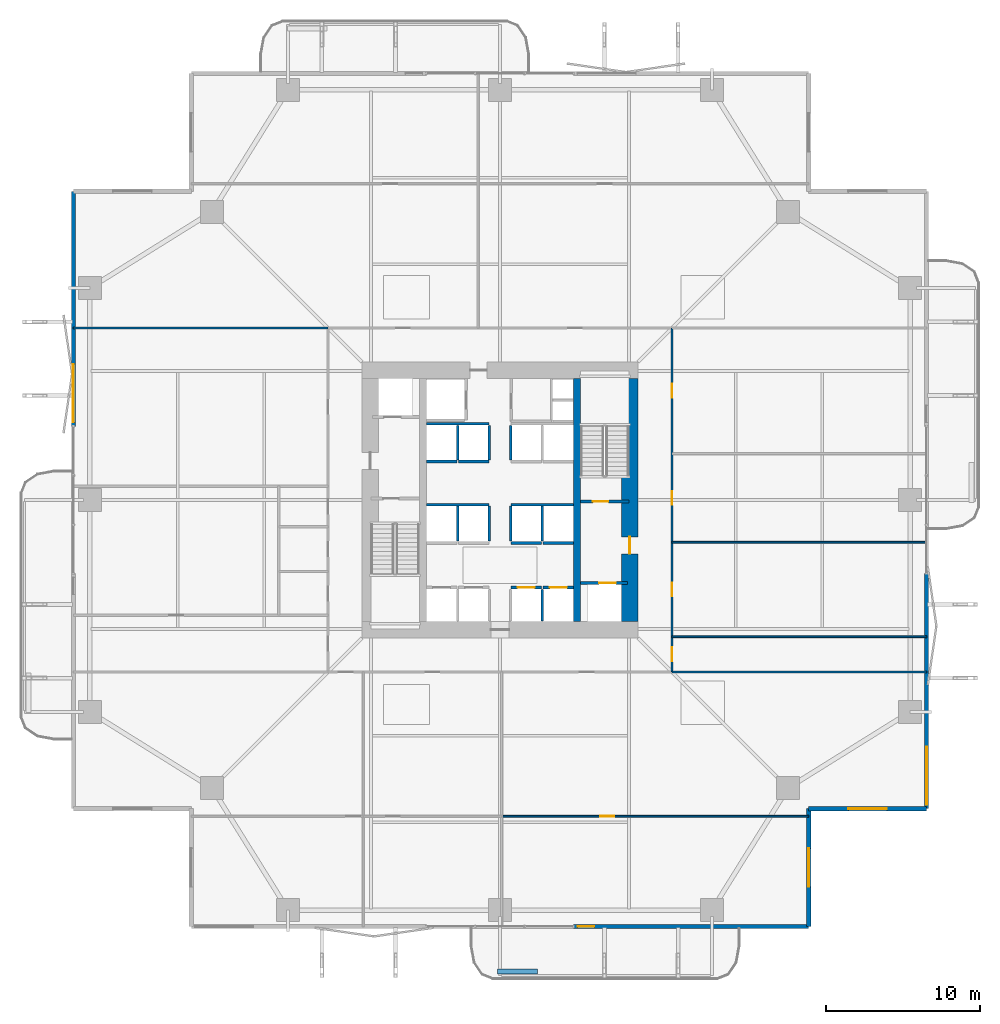
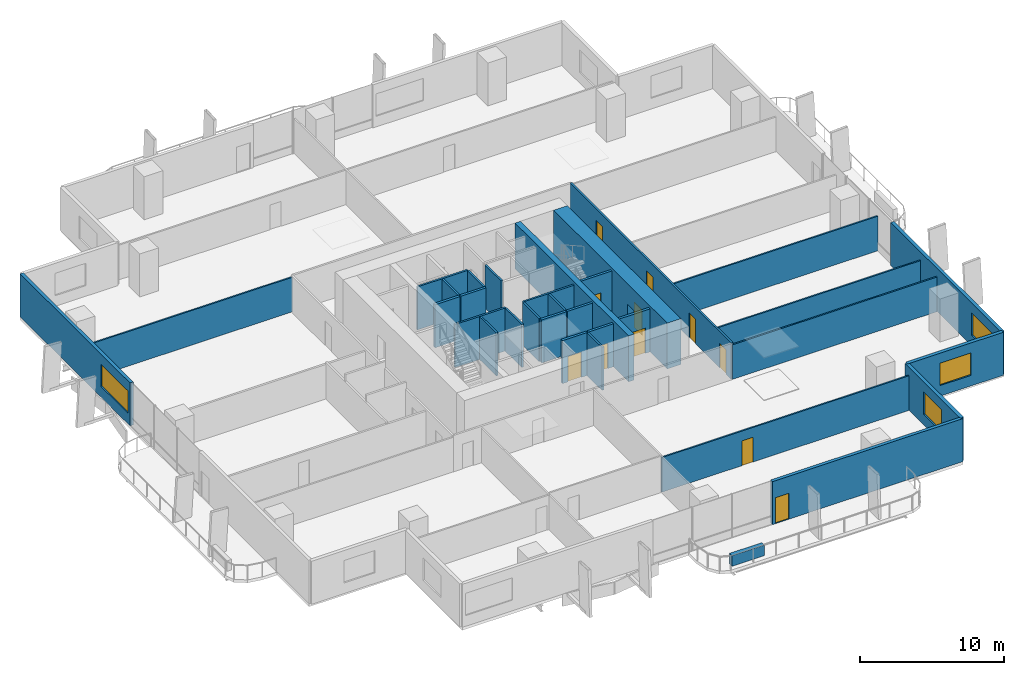
# One storey, part 18 of 24: 33 walls, 11 doors, 4 windows, 15 openings.
"""IFC4 building model written with IfcOpenShell, lengths in metres."""

import ifcopenshell
import ifcopenshell.guid

model = None  # the IFC model being written
_history = None  # IfcOwnerHistory: only IFC2X3 demands one
_inside = {}  # id of a spatial element -> (the spatial element, [elements in it])
_under = {}  # id of a project, library or spatial element -> (it, [spatial elements below it])
_declared = {}  # id of a project -> (the project, [libraries it declares])
_typed = {}  # id of a type object -> (the type object, [elements of that type])
_made_of = {}  # id of a material, layer set ... -> (it, [elements and type objects made of it])


def new_model(schema):
    """Start an empty IFC model of exactly this schema.

    Asked for "IFC4X3", IfcOpenShell would pick the latest addendum, in which some entities
    have other attributes; the version numbers below select the first issue.
    IFC2X3 requires an IfcOwnerHistory on every rooted entity: one is made here for all.
    """
    global model, _history
    if schema == "IFC4X3":
        model = ifcopenshell.file(schema_version=(4, 3, 0, 0))
    else:
        model = ifcopenshell.file(schema=schema)
    _inside.clear()
    _under.clear()
    _declared.clear()
    _typed.clear()
    _made_of.clear()
    _history = None
    if model.schema == "IFC2X3":
        org = make("IfcOrganization", Name="unknown")
        user = make(
            "IfcPersonAndOrganization",
            ThePerson=make("IfcPerson", FamilyName="unknown"),
            TheOrganization=org,
        )
        app = make(
            "IfcApplication",
            ApplicationDeveloper=org,
            Version="unknown",
            ApplicationFullName="unknown",
            ApplicationIdentifier="unknown",
        )
        _history = make(
            "IfcOwnerHistory",
            OwningUser=user,
            OwningApplication=app,
            ChangeAction="ADDED",
            CreationDate=0,
        )
    return model


def make(cls, **values):
    """One entity of the class cls with the attributes given. An attribute that is None is left unset."""
    return model.create_entity(
        cls, **{name: value for name, value in values.items() if value is not None}
    )


def rooted(cls, **values):
    """An entity with a GlobalId (a new one), such as an element, a storey or a relation."""
    return make(cls, GlobalId=ifcopenshell.guid.new(), OwnerHistory=_history, **values)


def si_unit(unit_type, name, prefix=None):
    """IfcSIUnit, for example si_unit("LENGTHUNIT", "METRE", prefix="MILLI")."""
    return make("IfcSIUnit", UnitType=unit_type, Prefix=prefix, Name=name)


def assignment(units):
    """IfcUnitAssignment: the units of a project."""
    return None if units is None else make("IfcUnitAssignment", Units=units)


def point(xyz):
    """IfcCartesianPoint."""
    return None if xyz is None else make("IfcCartesianPoint", Coordinates=xyz)


def direction(xyz):
    """IfcDirection."""
    return None if xyz is None else make("IfcDirection", DirectionRatios=xyz)


def frame(location, z_axis=None, x_axis=None):
    """IfcAxis2Placement3D, a coordinate frame: its origin and axes. An axis left out is left unset."""
    return make(
        "IfcAxis2Placement3D",
        Location=point(location),
        Axis=direction(z_axis),
        RefDirection=direction(x_axis),
    )


def frame_2d(location, x_axis=None):
    """IfcAxis2Placement2D, a coordinate frame in the plane: its origin and x axis."""
    return make(
        "IfcAxis2Placement2D", Location=point(location), RefDirection=direction(x_axis)
    )


def origin():
    """The frame at (0, 0, 0) with its axes left unset."""
    return frame((0.0, 0.0, 0.0))


def place(relative_to, where):
    """IfcLocalPlacement: puts the frame where relative to a parent placement (None: the world)."""
    return make(
        "IfcLocalPlacement", PlacementRelTo=relative_to, RelativePlacement=where
    )


def context(
    kind, dimensions, precision=None, world=None, true_north=None, identifier=None
):
    """IfcGeometricRepresentationContext, for example the 3D "Model" context."""
    return make(
        "IfcGeometricRepresentationContext",
        ContextIdentifier=identifier,
        ContextType=kind,
        CoordinateSpaceDimension=dimensions,
        Precision=precision,
        WorldCoordinateSystem=world,
        TrueNorth=true_north,
    )


def subcontext(parent, identifier, kind, view, scale=None):
    """IfcGeometricRepresentationSubContext, for example "Body" below "Model"."""
    return make(
        "IfcGeometricRepresentationSubContext",
        ContextIdentifier=identifier,
        ContextType=kind,
        ParentContext=parent,
        TargetScale=scale,
        TargetView=view,
    )


def project(units=None, contexts=None):
    """IfcProject with its units and contexts."""
    return rooted(
        "IfcProject",
        Name="project",
        RepresentationContexts=contexts,
        UnitsInContext=assignment(units),
    )


def spatial(cls, under=None, at=None, **own):
    """A site, building, storey or space (cls), placed at a placement, below another one or the project."""
    s = rooted(cls, ObjectPlacement=at, **own)
    if under is not None:
        _under.setdefault(under.id(), (under, []))[1].append(s)
    return s


def profile(cls, at=None, kind="AREA", **sizes):
    """A parametric profile (cls). Its sizes go by their IFC names, for example OverallWidth=200.0."""
    return make(cls, ProfileType=kind, Position=at, **sizes)


def rectangle(**sizes):
    """IfcRectangleProfileDef."""
    return profile("IfcRectangleProfileDef", **sizes)


def extrude(swept, where, along, depth):
    """IfcExtrudedAreaSolid: the profile swept, set in the frame where, extruded along a direction by depth."""
    return make(
        "IfcExtrudedAreaSolid",
        SweptArea=swept,
        Position=where,
        ExtrudedDirection=direction(along),
        Depth=depth,
    )


def shape(context_of_items, identifier, shape_type, items):
    """IfcShapeRepresentation: the items that make up one representation, for example the "Body"."""
    return make(
        "IfcShapeRepresentation",
        ContextOfItems=context_of_items,
        RepresentationIdentifier=identifier,
        RepresentationType=shape_type,
        Items=items,
    )


def material(Name=None, Category=None):
    """IfcMaterial."""
    return make("IfcMaterial", Name=Name, Category=Category)


def layer(
    of_material, thickness, ventilated=None, Name=None, Category=None, Priority=None
):
    """IfcMaterialLayer: one layer of a wall or slab, of a material (None: an air gap)."""
    return make(
        "IfcMaterialLayer",
        Material=of_material,
        LayerThickness=thickness,
        IsVentilated=ventilated,
        Name=Name,
        Category=Category,
        Priority=Priority,
    )


def layer_set(layers, Name=None):
    """IfcMaterialLayerSet."""
    return make("IfcMaterialLayerSet", MaterialLayers=layers, LayerSetName=Name)


def made_of(thing, what):
    """Note that an element or type object is made of a material, layer set ...; save() writes the relation."""
    if what is not None:
        _made_of.setdefault(what.id(), (what, []))[1].append(thing)
    return thing


def type_object(cls, material=None, **own):
    """A type object (cls), such as IfcWallType, which elements share."""
    return made_of(rooted(cls, **own), material)


def element(
    cls,
    number,
    at=None,
    inside=None,
    cuts=None,
    type_object=None,
    material=None,
    context=None,
    identifier="Body",
    shape_type=None,
    held_by="IfcProductDefinitionShape",
    body=None,
    shapes=None,
    **own,
):
    """One element of the class cls, such as IfcWall. Its Tag is "e" and its number.

    at: its placement. inside: the storey or other place that contains it. cuts: it is an
    opening in that element (IfcRelVoidsElement). A single representation is given by context,
    identifier, shape_type and body (its items); several are given by shapes. held_by: the class
    of the entity that holds the representations. save() writes the other relations.
    """
    e = rooted(cls, Tag="e%d" % number, ObjectPlacement=at, **own)
    if body is not None:
        shapes = [shape(context, identifier, shape_type, body)]
    if shapes is not None:
        e.Representation = make(held_by, Representations=shapes)
    if inside is not None:
        _inside.setdefault(inside.id(), (inside, []))[1].append(e)
    if cuts is not None:
        rooted(
            "IfcRelVoidsElement", RelatingBuildingElement=cuts, RelatedOpeningElement=e
        )
    if type_object is not None:
        _typed.setdefault(type_object.id(), (type_object, []))[1].append(e)
    return made_of(e, material)


def fill(opening, filler):
    """IfcRelFillsElement: the door or window that sits in an opening."""
    return rooted(
        "IfcRelFillsElement",
        RelatingOpeningElement=opening,
        RelatedBuildingElement=filler,
    )


def aggregate(whole, parts):
    """IfcRelAggregates: a whole, such as a stair, and the parts it consists of."""
    return rooted("IfcRelAggregates", RelatingObject=whole, RelatedObjects=parts)


def save(model, path):
    """Write the relations noted so far, then the file.

    IfcRelAggregates (storeys below a building ...), IfcRelContainedInSpatialStructure (elements
    in a storey), IfcRelDefinesByType, IfcRelAssociatesMaterial and IfcRelDeclares: one each for
    every whole, place, type object, material and project.
    """
    for whole, parts in _under.values():
        aggregate(whole, parts)
    for where, things in _inside.values():
        rooted(
            "IfcRelContainedInSpatialStructure",
            RelatedElements=things,
            RelatingStructure=where,
        )
    for kind, things in _typed.values():
        rooted("IfcRelDefinesByType", RelatedObjects=things, RelatingType=kind)
    for what, things in _made_of.values():
        rooted("IfcRelAssociatesMaterial", RelatedObjects=things, RelatingMaterial=what)
    for by, libraries in _declared.values():
        rooted("IfcRelDeclares", RelatingContext=by, RelatedDefinitions=libraries)
    model.write(path)


model = new_model("IFC4")

# Units and contexts
model_context = context("Model", 3, precision=1e-05, world=origin(), true_north=direction((0.0, 1.0)))
body_context = subcontext(model_context, "Body", "Model", "MODEL_VIEW")
ifc_project = project(units=[si_unit("LENGTHUNIT", "METRE"), si_unit("AREAUNIT", "SQUARE_METRE"), si_unit("VOLUMEUNIT", "CUBIC_METRE"), si_unit("PLANEANGLEUNIT", "RADIAN"), si_unit("MASSUNIT", "GRAM", prefix="KILO")], contexts=[model_context])

# Site, building, storey
site_placement = place(None, origin())
site = spatial("IfcSite", under=ifc_project, at=site_placement, CompositionType="ELEMENT")
building_placement = place(site_placement, origin())
building = spatial("IfcBuilding", under=site, at=building_placement, Name="Belovzor Exchange Tower", CompositionType="ELEMENT")
storey_placement = place(building_placement, frame((0.0, 0.0, 49.5)))
storey = spatial("IfcBuildingStorey", under=building, at=storey_placement, Name="L11", CompositionType="ELEMENT", Elevation=49.5)

# Wall, opening, door
ifc_material_1 = material(Name="Acoustic Plasterboard on Galvanised Studs", Category="gypsum")
ifc_layer_1 = layer(ifc_material_1, 0.1201171875)
ifc_layer_set_1 = layer_set([ifc_layer_1], Name="Acoustic Plasterboard on Galvanised Studs")
wall_type_1 = type_object("IfcWallType", Name="Acoustic Double-Stud Partition Wall 120", PredefinedType="PARTITIONING", material=ifc_layer_set_1)
wall_1_placement = place(storey_placement, frame((28.904052734375, 8.2119140625, 0.0), z_axis=(0.0, 0.0, 1.0), x_axis=(1.0, 0.0, 0.0)))
wall_1 = element("IfcWall", 1, at=wall_1_placement, inside=storey, type_object=wall_type_1, Name="W-P120 Partition Wall W-L11-SHDIV-2", PredefinedType="PARTITIONING", context=body_context, shape_type="SweptSolid", body=[
    extrude(rectangle(XDim=19.995849609375, YDim=0.1201171875, at=frame_2d((9.998046875, 0.0))), origin(), (0.0, 0.0, 1.0), 2.93505859375),
])
opening_1_placement = place(wall_1_placement, frame((6.431884765625, 0.0, 0.0)))
opening_1 = element("IfcOpeningElement", 2, at=opening_1_placement, cuts=wall_1, Name="Opening D-INT-090", PredefinedType="OPENING", context=body_context, shape_type="SweptSolid", body=[
    extrude(rectangle(XDim=0.89990234375, YDim=2.10009765625, at=frame_2d((0.449951171875, 1.050048828125))), frame((0.0, 0.070068359375, 0.0), z_axis=(0.0, -1.0, 0.0), x_axis=(1.0, 0.0, 0.0)), (0.0, 0.0, 1.0), 0.14013671875),
])
ifc_material_2 = material(Name="Veneered Hardwood Acoustic Leaf", Category="wood")
door_type_1 = type_object("IfcDoorType", Name="Trading Suite Acoustic Single Door 900x2100", OperationType="NOTDEFINED", PredefinedType="DOOR", material=ifc_material_2)
door_1_placement = place(opening_1_placement, origin())
door_1 = element("IfcDoor", 3, at=door_1_placement, inside=storey, type_object=door_type_1, Name="D-INT-090 Trading Suite Acoustic Single Door 900x2100", OperationType="SINGLE_SWING_LEFT", OverallHeight=2.10009765625, OverallWidth=0.89990234375, PredefinedType="DOOR", context=body_context, shape_type="SweptSolid", body=[
    extrude(rectangle(XDim=0.89990234375, YDim=2.10009765625, at=frame_2d((0.449951171875, 1.050048828125))), frame((0.0, 0.02490234375, 0.0), z_axis=(0.0, -1.0, 0.0), x_axis=(1.0, 0.0, 0.0)), (0.0, 0.0, 1.0), 0.050048828125),
])
fill(opening_1, door_1)

# Walls
for number, where, z_axis, x_axis, name in (
    (4, (40.0, 17.60009765625, 0.0), (0.0, 0.0, 1.0), (1.0, 0.0, 0.0), "W-P120 Partition Wall W-L11-END-SE"),
    (5, (1.030029296875, 40.0, 0.0), (0.0, 0.0, 1.0), (1.0, 0.0, 0.0), "W-P120 Partition Wall W-L11-END-NW"),
    (6, (40.0, 19.89990234375, 0.0), (0.0, 0.0, 1.0), (1.0, 0.0, 0.0), "W-P120 Partition Wall W-L11-EDIV-1"),
    (7, (40.0, 26.053955078125, 0.0), (0.0, 0.0, 1.0), (1.0, 0.0, 0.0), "W-P120 Partition Wall W-L11-EDIV-2"),
):
    element("IfcWall", number, at=place(storey_placement, frame(where, z_axis=z_axis, x_axis=x_axis)), inside=storey, type_object=wall_type_1, Name=name, PredefinedType="PARTITIONING", context=body_context, shape_type="SweptSolid", body=[
        extrude(rectangle(XDim=16.570068359375, YDim=0.1201171875, at=frame_2d((8.28515625, 0.0))), origin(), (0.0, 0.0, 1.0), 2.93505859375),
    ])

# Wall, openings, doors
ifc_material_3 = material(Name="Fire-Rated Gypsum Block and Mineral Wool", Category="gypsum")
ifc_layer_2 = layer(ifc_material_3, 0.14990234375)
ifc_layer_set_2 = layer_set([ifc_layer_2], Name="Fire-Rated Gypsum Block and Mineral Wool")
wall_type_2 = type_object("IfcWallType", Name="Fire-Rated Gypsum Block Corridor Wall 150", PredefinedType="PARTITIONING", material=ifc_layer_set_2)
wall_2_placement = place(storey_placement, frame((40.0, 17.60009765625, 0.0), z_axis=(0.0, 0.0, 1.0), x_axis=(0.0, 1.0, 0.0)))
wall_2 = element("IfcWall", 8, at=wall_2_placement, inside=storey, type_object=wall_type_2, Name="W-P150 Partition Wall W-L11-CE", PredefinedType="PARTITIONING", context=body_context, shape_type="SweptSolid", body=[
    extrude(rectangle(XDim=22.39990234375, YDim=0.14990234375, at=frame_2d((11.199951171875, 0.0))), origin(), (0.0, 0.0, 1.0), 3.0849609375),
])
opening_2_placement = place(wall_2_placement, frame((0.699951171875, 0.0, 0.0)))
opening_2 = element("IfcOpeningElement", 9, at=opening_2_placement, cuts=wall_2, Name="Opening D-INT-090", PredefinedType="OPENING", context=body_context, shape_type="SweptSolid", body=[
    extrude(rectangle(XDim=0.89990234375, YDim=2.10009765625, at=frame_2d((0.449951171875, 1.050048828125))), frame((0.0, 0.0849609375, 0.0), z_axis=(0.0, -1.0, 0.0), x_axis=(1.0, 0.0, 0.0)), (0.0, 0.0, 1.0), 0.169921875),
])
opening_3_placement = place(wall_2_placement, frame((4.927001953125, 0.0, 0.0)))
opening_3 = element("IfcOpeningElement", 10, at=opening_3_placement, cuts=wall_2, Name="Opening D-INT-090", PredefinedType="OPENING", context=body_context, shape_type="SweptSolid", body=[
    extrude(rectangle(XDim=0.89990234375, YDim=2.10009765625, at=frame_2d((0.449951171875, 1.050048828125))), frame((0.0, 0.0849609375, 0.0), z_axis=(0.0, -1.0, 0.0), x_axis=(1.0, 0.0, 0.0)), (0.0, 0.0, 1.0), 0.169921875),
])
opening_4_placement = place(wall_2_placement, frame((10.885986328125, 0.0, 0.0)))
opening_4 = element("IfcOpeningElement", 11, at=opening_4_placement, cuts=wall_2, Name="Opening D-INT-090", PredefinedType="OPENING", context=body_context, shape_type="SweptSolid", body=[
    extrude(rectangle(XDim=0.89990234375, YDim=2.10009765625, at=frame_2d((0.449951171875, 1.050048828125))), frame((0.0, 0.0849609375, 0.0), z_axis=(0.0, -1.0, 0.0), x_axis=(1.0, 0.0, 0.0)), (0.0, 0.0, 1.0), 0.169921875),
])
opening_5_placement = place(wall_2_placement, frame((17.85888671875, 0.0, 0.0)))
opening_5 = element("IfcOpeningElement", 12, at=opening_5_placement, cuts=wall_2, Name="Opening D-INT-090", PredefinedType="OPENING", context=body_context, shape_type="SweptSolid", body=[
    extrude(rectangle(XDim=0.89990234375, YDim=2.10009765625, at=frame_2d((0.449951171875, 1.050048828125))), frame((0.0, 0.0849609375, 0.0), z_axis=(0.0, -1.0, 0.0), x_axis=(1.0, 0.0, 0.0)), (0.0, 0.0, 1.0), 0.169921875),
])
door_2_placement = place(opening_2_placement, origin())
door_2 = element("IfcDoor", 13, at=door_2_placement, inside=storey, type_object=door_type_1, Name="D-INT-090 Trading Suite Acoustic Single Door 900x2100", OperationType="SINGLE_SWING_LEFT", OverallHeight=2.10009765625, OverallWidth=0.89990234375, PredefinedType="DOOR", context=body_context, shape_type="SweptSolid", body=[
    extrude(rectangle(XDim=0.89990234375, YDim=2.10009765625, at=frame_2d((0.449951171875, 1.050048828125))), frame((0.0, 0.02490234375, 0.0), z_axis=(0.0, -1.0, 0.0), x_axis=(1.0, 0.0, 0.0)), (0.0, 0.0, 1.0), 0.050048828125),
])
fill(opening_2, door_2)
door_3_placement = place(opening_3_placement, origin())
door_3 = element("IfcDoor", 14, at=door_3_placement, inside=storey, type_object=door_type_1, Name="D-INT-090 Trading Suite Acoustic Single Door 900x2100", OperationType="SINGLE_SWING_RIGHT", OverallHeight=2.10009765625, OverallWidth=0.89990234375, PredefinedType="DOOR", context=body_context, shape_type="SweptSolid", body=[
    extrude(rectangle(XDim=0.89990234375, YDim=2.10009765625, at=frame_2d((0.449951171875, 1.050048828125))), frame((0.0, 0.02490234375, 0.0), z_axis=(0.0, -1.0, 0.0), x_axis=(1.0, 0.0, 0.0)), (0.0, 0.0, 1.0), 0.050048828125),
])
fill(opening_3, door_3)
door_4_placement = place(opening_4_placement, origin())
door_4 = element("IfcDoor", 15, at=door_4_placement, inside=storey, type_object=door_type_1, Name="D-INT-090 Trading Suite Acoustic Single Door 900x2100", OperationType="SINGLE_SWING_LEFT", OverallHeight=2.10009765625, OverallWidth=0.89990234375, PredefinedType="DOOR", context=body_context, shape_type="SweptSolid", body=[
    extrude(rectangle(XDim=0.89990234375, YDim=2.10009765625, at=frame_2d((0.449951171875, 1.050048828125))), frame((0.0, 0.02490234375, 0.0), z_axis=(0.0, -1.0, 0.0), x_axis=(1.0, 0.0, 0.0)), (0.0, 0.0, 1.0), 0.050048828125),
])
fill(opening_4, door_4)
door_5_placement = place(opening_5_placement, origin())
door_5 = element("IfcDoor", 16, at=door_5_placement, inside=storey, type_object=door_type_1, Name="D-INT-090 Trading Suite Acoustic Single Door 900x2100", OperationType="SINGLE_SWING_RIGHT", OverallHeight=2.10009765625, OverallWidth=0.89990234375, PredefinedType="DOOR", context=body_context, shape_type="SweptSolid", body=[
    extrude(rectangle(XDim=0.89990234375, YDim=2.10009765625, at=frame_2d((0.449951171875, 1.050048828125))), frame((0.0, 0.02490234375, 0.0), z_axis=(0.0, -1.0, 0.0), x_axis=(1.0, 0.0, 0.0)), (0.0, 0.0, 1.0), 0.050048828125),
])
fill(opening_5, door_5)

# Wall, opening, window
ifc_material_4 = material(Name="Precast concrete C40/50", Category="concrete")
ifc_layer_3 = layer(ifc_material_4, 0.280029296875)
ifc_layer_set_3 = layer_set([ifc_layer_3], Name="Precast concrete C40/50")
wall_type_3 = type_object("IfcWallType", Name="Precast Concrete Notched Corner Frame Wall 280", PredefinedType="SOLIDWALL", material=ifc_layer_set_3)
wall_3_placement = place(storey_placement, frame((56.570068359375, 8.699951171875, 0.0), z_axis=(0.0, 0.0, 1.0), x_axis=(-1.0, 0.0, 0.0)))
wall_3 = element("IfcWall", 17, at=wall_3_placement, inside=storey, type_object=wall_type_3, Name="W-CRN280 Precast Concrete Notched Corner Frame Wall 280 L11", PredefinedType="SOLIDWALL", context=body_context, shape_type="SweptSolid", body=[
    extrude(rectangle(XDim=7.670166015625, YDim=0.280029296875, at=frame_2d((3.8349609375, 0.0))), origin(), (0.0, 0.0, 1.0), 3.64990234375),
])
opening_6_placement = place(wall_3_placement, frame((2.5849609375, 0.0, 0.89990234375)))
opening_6 = element("IfcOpeningElement", 18, at=opening_6_placement, cuts=wall_3, Name="Opening WN-CRN250", PredefinedType="OPENING", context=body_context, shape_type="SweptSolid", body=[
    extrude(rectangle(XDim=2.5, YDim=1.89990234375, at=frame_2d((1.25, 0.949951171875))), frame((0.0, 0.14990234375, 0.0), z_axis=(0.0, -1.0, 0.0), x_axis=(1.0, 0.0, 0.0)), (0.0, 0.0, 1.0), 0.300048828125),
])
ifc_material_5 = material(Name="Thermally Broken Aluminium and Triple Glazing", Category="aluminium")
window_type_1 = type_object("IfcWindowType", Name="Streamline Moderne Corner Wrap Ribbon Window 2500x1900", PartitioningType="SINGLE_PANEL", PredefinedType="WINDOW", material=ifc_material_5)
window_1_placement = place(opening_6_placement, origin())
window_1 = element("IfcWindow", 19, at=window_1_placement, inside=storey, type_object=window_type_1, Name="WN-CRN250 Streamline Moderne Corner Wrap Ribbon Window 2500x1900", OverallHeight=1.89990234375, OverallWidth=2.5, PartitioningType="SINGLE_PANEL", PredefinedType="WINDOW", context=body_context, shape_type="SweptSolid", body=[
    extrude(rectangle(XDim=2.5, YDim=1.89990234375, at=frame_2d((1.25, 0.949951171875))), frame((0.0, 0.030029296875, 0.0), z_axis=(0.0, -1.0, 0.0), x_axis=(1.0, 0.0, 0.0)), (0.0, 0.0, 1.0), 0.06005859375),
])
fill(opening_6, window_1)

wall_4_placement = place(storey_placement, frame((48.89990234375, 8.699951171875, 0.0), z_axis=(0.0, 0.0, 1.0), x_axis=(0.0, -1.0, 0.0)))
wall_4 = element("IfcWall", 20, at=wall_4_placement, inside=storey, type_object=wall_type_3, Name="W-CRN280 Precast Concrete Notched Corner Frame Wall 280 L11", PredefinedType="SOLIDWALL", context=body_context, shape_type="SweptSolid", body=[
    extrude(rectangle(XDim=7.669921875, YDim=0.280029296875, at=frame_2d((3.8349609375, 0.0))), origin(), (0.0, 0.0, 1.0), 3.64990234375),
])
opening_7_placement = place(wall_4_placement, frame((2.5849609375, 0.0, 0.89990234375)))
opening_7 = element("IfcOpeningElement", 21, at=opening_7_placement, cuts=wall_4, Name="Opening WN-CRN250", PredefinedType="OPENING", context=body_context, shape_type="SweptSolid", body=[
    extrude(rectangle(XDim=2.5, YDim=1.89990234375, at=frame_2d((1.25, 0.949951171875))), frame((0.0, 0.14990234375, 0.0), z_axis=(0.0, -1.0, 0.0), x_axis=(1.0, 0.0, 0.0)), (0.0, 0.0, 1.0), 0.300048828125),
])
window_2_placement = place(opening_7_placement, origin())
window_2 = element("IfcWindow", 22, at=window_2_placement, inside=storey, type_object=window_type_1, Name="WN-CRN250 Streamline Moderne Corner Wrap Ribbon Window 2500x1900", OverallHeight=1.89990234375, OverallWidth=2.5, PartitioningType="SINGLE_PANEL", PredefinedType="WINDOW", context=body_context, shape_type="SweptSolid", body=[
    extrude(rectangle(XDim=2.5, YDim=1.89990234375, at=frame_2d((1.25, 0.949951171875))), frame((0.0, 0.030029296875, 0.0), z_axis=(0.0, -1.0, 0.0), x_axis=(1.0, 0.0, 0.0)), (0.0, 0.0, 1.0), 0.06005859375),
])
fill(opening_7, window_2)

# Wall, opening, door
ifc_material_6 = material(Name="Precast concrete C40/50", Category="concrete")
ifc_layer_4 = layer(ifc_material_6, 0.260009765625)
ifc_layer_set_4 = layer_set([ifc_layer_4], Name="Precast concrete C40/50")
wall_type_4 = type_object("IfcWallType", Name="Precast Concrete Perimeter Loggia Frame Wall 260", PredefinedType="SOLIDWALL", material=ifc_layer_set_4)
wall_5_placement = place(storey_placement, frame((48.89990234375, 1.030029296875, 0.0), z_axis=(0.0, 0.0, 1.0), x_axis=(-1.0, 0.0, 0.0)))
wall_5 = element("IfcWall", 23, at=wall_5_placement, inside=storey, type_object=wall_type_4, Name="W-EXT260 Precast Concrete Perimeter Loggia Frame Wall 260 L11", PredefinedType="SOLIDWALL", context=body_context, shape_type="SweptSolid", body=[
    extrude(rectangle(XDim=15.2998046875, YDim=0.260009765625, at=frame_2d((7.64990234375, 0.0))), origin(), (0.0, 0.0, 1.0), 3.64990234375),
])
opening_8_placement = place(wall_5_placement, frame((13.949951171875, 0.0, 0.0)))
opening_8 = element("IfcOpeningElement", 24, at=opening_8_placement, cuts=wall_5, Name="Opening D-BAL110", PredefinedType="OPENING", context=body_context, shape_type="SweptSolid", body=[
    extrude(rectangle(XDim=1.10009765625, YDim=2.199951171875, at=frame_2d((0.550048828125, 1.10009765625))), frame((0.0, 0.139892578125, 0.0), z_axis=(0.0, -1.0, 0.0), x_axis=(1.0, 0.0, 0.0)), (0.0, 0.0, 1.0), 0.280029296875),
])
ifc_material_7 = material(Name="Thermally Broken Anodised Aluminium and Laminated Glass", Category="aluminium")
door_type_2 = type_object("IfcDoorType", Name="Planted Loggia Terrace Glazed Door 1100x2200", OperationType="SINGLE_SWING_LEFT", PredefinedType="DOOR", material=ifc_material_7)
door_6_placement = place(opening_8_placement, origin())
door_6 = element("IfcDoor", 25, at=door_6_placement, inside=storey, type_object=door_type_2, Name="D-BAL110 Balcony Terrace Door L11 S", OperationType="SINGLE_SWING_LEFT", OverallHeight=2.199951171875, OverallWidth=1.10009765625, PredefinedType="DOOR", context=body_context, shape_type="SweptSolid", body=[
    extrude(rectangle(XDim=1.10009765625, YDim=2.199951171875, at=frame_2d((0.550048828125, 1.10009765625))), frame((0.0, 0.02490234375, 0.0), z_axis=(0.0, -1.0, 0.0), x_axis=(1.0, 0.0, 0.0)), (0.0, 0.0, 1.0), 0.050048828125),
])
fill(opening_8, door_6)

# Wall, opening, window
wall_6_placement = place(storey_placement, frame((1.030029296875, 33.60009765625, 0.0), z_axis=(0.0, 0.0, 1.0), x_axis=(0.0, 1.0, 0.0)))
wall_6 = element("IfcWall", 26, at=wall_6_placement, inside=storey, type_object=wall_type_4, Name="W-EXT260 Precast Concrete Perimeter Loggia Frame Wall 260 L11", PredefinedType="SOLIDWALL", context=body_context, shape_type="SweptSolid", body=[
    extrude(rectangle(XDim=15.2998046875, YDim=0.260009765625, at=frame_2d((7.64990234375, 0.0))), origin(), (0.0, 0.0, 1.0), 3.64990234375),
])
opening_9_placement = place(wall_6_placement, frame((0.25, 0.0, 0.89990234375)))
opening_9 = element("IfcOpeningElement", 27, at=opening_9_placement, cuts=wall_6, Name="Opening WN-RIB380", PredefinedType="OPENING", context=body_context, shape_type="SweptSolid", body=[
    extrude(rectangle(XDim=3.800048828125, YDim=1.89990234375, at=frame_2d((1.89990234375, 0.949951171875))), frame((0.0, 0.139892578125, 0.0), z_axis=(0.0, -1.0, 0.0), x_axis=(1.0, 0.0, 0.0)), (0.0, 0.0, 1.0), 0.280029296875),
])
ifc_material_8 = material(Name="Thermally Broken Aluminium and Triple Glazing", Category="aluminium")
window_type_2 = type_object("IfcWindowType", Name="Streamline Moderne Horizontal Ribbon Window 3800x1900", PartitioningType="SINGLE_PANEL", PredefinedType="WINDOW", material=ifc_material_8)
window_3_placement = place(opening_9_placement, origin())
window_3 = element("IfcWindow", 28, at=window_3_placement, inside=storey, type_object=window_type_2, Name="WN-RIB380 Streamline Moderne Horizontal Ribbon Window 3800x1900", OverallHeight=1.89990234375, OverallWidth=3.800048828125, PartitioningType="SINGLE_PANEL", PredefinedType="WINDOW", context=body_context, shape_type="SweptSolid", body=[
    extrude(rectangle(XDim=3.800048828125, YDim=1.89990234375, at=frame_2d((1.89990234375, 0.949951171875))), frame((0.0, 0.030029296875, 0.0), z_axis=(0.0, -1.0, 0.0), x_axis=(1.0, 0.0, 0.0)), (0.0, 0.0, 1.0), 0.06005859375),
])
fill(opening_9, window_3)

wall_7_placement = place(storey_placement, frame((56.570068359375, 24.0, 0.0), z_axis=(0.0, 0.0, 1.0), x_axis=(0.0, -1.0, 0.0)))
wall_7 = element("IfcWall", 29, at=wall_7_placement, inside=storey, type_object=wall_type_4, Name="W-EXT260 Precast Concrete Perimeter Loggia Frame Wall 260 L11", PredefinedType="SOLIDWALL", context=body_context, shape_type="SweptSolid", body=[
    extrude(rectangle(XDim=15.300048828125, YDim=0.260009765625, at=frame_2d((7.64990234375, 0.0))), origin(), (0.0, 0.0, 1.0), 3.64990234375),
])
opening_10_placement = place(wall_7_placement, frame((11.25, 0.0, 0.89990234375)))
opening_10 = element("IfcOpeningElement", 30, at=opening_10_placement, cuts=wall_7, Name="Opening WN-RIB380", PredefinedType="OPENING", context=body_context, shape_type="SweptSolid", body=[
    extrude(rectangle(XDim=3.800048828125, YDim=1.89990234375, at=frame_2d((1.89990234375, 0.949951171875))), frame((0.0, 0.139892578125, 0.0), z_axis=(0.0, -1.0, 0.0), x_axis=(1.0, 0.0, 0.0)), (0.0, 0.0, 1.0), 0.280029296875),
])
window_4_placement = place(opening_10_placement, origin())
window_4 = element("IfcWindow", 31, at=window_4_placement, inside=storey, type_object=window_type_2, Name="WN-RIB380 Streamline Moderne Horizontal Ribbon Window 3800x1900", OverallHeight=1.89990234375, OverallWidth=3.800048828125, PartitioningType="SINGLE_PANEL", PredefinedType="WINDOW", context=body_context, shape_type="SweptSolid", body=[
    extrude(rectangle(XDim=3.800048828125, YDim=1.89990234375, at=frame_2d((1.89990234375, 0.949951171875))), frame((0.0, 0.030029296875, 0.0), z_axis=(0.0, -1.0, 0.0), x_axis=(1.0, 0.0, 0.0)), (0.0, 0.0, 1.0), 0.06005859375),
])
fill(opening_10, window_4)

# Walls
ifc_material_9 = material(Name="Precast concrete C40/50", Category="concrete")
ifc_layer_5 = layer(ifc_material_9, 0.35009765625)
ifc_layer_set_5 = layer_set([ifc_layer_5], Name="Precast concrete C40/50")
wall_type_5 = type_object("IfcWallType", Name="Precast Concrete Structural Tree Planter Trough 350", PredefinedType="PARAPET", material=ifc_layer_set_5)
wall_8_placement = place(storey_placement, frame((28.64990234375, -1.89990234375, 0.0), z_axis=(0.0, 0.0, 1.0), x_axis=(1.0, 0.0, 0.0)))
element("IfcWall", 32, at=wall_8_placement, inside=storey, type_object=wall_type_5, Name="PT-350 Precast Concrete Structural Tree Planter Trough 350 L11", PredefinedType="PARAPET", context=body_context, shape_type="SweptSolid", body=[
    extrude(rectangle(XDim=2.60009765625, YDim=0.35009765625, at=frame_2d((1.300048828125, 0.0))), origin(), (0.0, 0.0, 1.0), 0.89990234375),
])
ifc_material_10 = material(Name="Concrete C50/60", Category="concrete")
ifc_layer_6 = layer(ifc_material_10, 0.449951171875)
ifc_layer_set_6 = layer_set([ifc_layer_6], Name="Concrete C50/60")
wall_type_6 = type_object("IfcWallType", Name="Reinforced Concrete Core Internal Web Wall 450", PredefinedType="SHEAR", material=ifc_layer_set_6)
wall_9_placement = place(storey_placement, frame((33.824951171875, 20.89990234375, 0.0), z_axis=(0.0, 0.0, 1.0), x_axis=(0.0, 1.0, 0.0)))
element("IfcWall", 33, at=wall_9_placement, inside=storey, type_object=wall_type_6, Name="CW-W045 Core Internal Web Wall L11 ER", PredefinedType="SHEAR", context=body_context, shape_type="SweptSolid", body=[
    extrude(rectangle(XDim=15.800048828125, YDim=0.449951171875, at=frame_2d((7.89990234375, 0.0))), origin(), (0.0, 0.0, 1.0), 3.89990234375),
])
ifc_material_11 = material(Name="Concrete C50/60", Category="concrete")
ifc_layer_7 = layer(ifc_material_11, 0.14990234375)
ifc_layer_set_7 = layer_set([ifc_layer_7], Name="Concrete C50/60")
wall_type_7 = type_object("IfcWallType", Name="Reinforced Concrete Core Riser Shear Wall 150", PredefinedType="SHEAR", material=ifc_layer_set_7)
wall_10_placement = place(storey_placement, frame((31.550048828125, 20.919921875, 0.0), z_axis=(0.0, 0.0, 1.0), x_axis=(0.0, 1.0, 0.0)))
element("IfcWall", 34, at=wall_10_placement, inside=storey, type_object=wall_type_7, Name="W-C150S Core Shaft Wall W-SHD-L11-PLL-4", PredefinedType="SHEAR", context=body_context, shape_type="SweptSolid", body=[
    extrude(rectangle(XDim=2.06005859375, YDim=0.14990234375, at=frame_2d((1.030029296875, 0.0))), origin(), (0.0, 0.0, 1.0), 3.64990234375),
])
for number, where, z_axis, x_axis, name in (
    (35, (24.02001953125, 28.5, 0.0), (0.0, 0.0, 1.0), (1.0, 0.0, 0.0), "W-C150S Core Shaft Wall W-SHB-L11-PLM-NW"),
    (36, (29.5, 28.5, 0.0), (0.0, 0.0, 1.0), (1.0, 0.0, 0.0), "W-C150S Core Shaft Wall W-SHB-L11-PLM-NE"),
):
    element("IfcWall", number, at=place(storey_placement, frame(where, z_axis=z_axis, x_axis=x_axis)), inside=storey, type_object=wall_type_7, Name=name, PredefinedType="SHEAR", context=body_context, shape_type="SweptSolid", body=[
        extrude(rectangle(XDim=4.080078125, YDim=0.14990234375, at=frame_2d((2.0400390625, 0.0))), origin(), (0.0, 0.0, 1.0), 3.64990234375),
    ])
for number, where, z_axis, x_axis, name in (
    (37, (26.050048828125, 26.1201171875, 0.0), (0.0, 0.0, 1.0), (0.0, 1.0, 0.0), "W-C150S Core Shaft Wall W-SHD-L11-PLM-1"),
    (38, (28.10009765625, 26.1201171875, 0.0), (0.0, 0.0, 1.0), (0.0, 1.0, 0.0), "W-C150S Core Shaft Wall W-SHD-L11-PLM-2"),
    (39, (29.5, 26.1201171875, 0.0), (0.0, 0.0, 1.0), (0.0, 1.0, 0.0), "W-C150S Core Shaft Wall W-SHD-L11-PLM-3"),
    (40, (31.550048828125, 26.1201171875, 0.0), (0.0, 0.0, 1.0), (0.0, 1.0, 0.0), "W-C150S Core Shaft Wall W-SHD-L11-PLM-4"),
):
    element("IfcWall", number, at=place(storey_placement, frame(where, z_axis=z_axis, x_axis=x_axis)), inside=storey, type_object=wall_type_7, Name=name, PredefinedType="SHEAR", context=body_context, shape_type="SweptSolid", body=[
        extrude(rectangle(XDim=2.27978515625, YDim=0.14990234375, at=frame_2d((1.139892578125, 0.0))), origin(), (0.0, 0.0, 1.0), 3.64990234375),
    ])
wall_11_placement = place(storey_placement, frame((24.02001953125, 33.760009765625, 0.0), z_axis=(0.0, 0.0, 1.0), x_axis=(1.0, 0.0, 0.0)))
element("IfcWall", 41, at=wall_11_placement, inside=storey, type_object=wall_type_7, Name="W-C150S Core Shaft Wall W-SHB-L11-PLH-NW", PredefinedType="SHEAR", context=body_context, shape_type="SweptSolid", body=[
    extrude(rectangle(XDim=4.080078125, YDim=0.14990234375, at=frame_2d((2.0400390625, 0.0))), origin(), (0.0, 0.0, 1.0), 3.64990234375),
])
for number, where, z_axis, x_axis, name in (
    (42, (26.050048828125, 31.419921875, 0.0), (0.0, 0.0, 1.0), (0.0, 1.0, 0.0), "W-C150S Core Shaft Wall W-SHD-L11-PLH-1"),
    (43, (28.10009765625, 31.419921875, 0.0), (0.0, 0.0, 1.0), (0.0, 1.0, 0.0), "W-C150S Core Shaft Wall W-SHD-L11-PLH-2"),
    (44, (29.5, 31.419921875, 0.0), (0.0, 0.0, 1.0), (0.0, 1.0, 0.0), "W-C150S Core Shaft Wall W-SHD-L11-PLH-3"),
):
    element("IfcWall", number, at=place(storey_placement, frame(where, z_axis=z_axis, x_axis=x_axis)), inside=storey, type_object=wall_type_7, Name=name, PredefinedType="SHEAR", context=body_context, shape_type="SweptSolid", body=[
        extrude(rectangle(XDim=2.239990234375, YDim=0.14990234375, at=frame_2d((1.1201171875, 0.0))), origin(), (0.0, 0.0, 1.0), 3.64990234375),
    ])

# Wall, opening, door
ifc_material_12 = material(Name="Concrete C50/60", Category="concrete")
ifc_layer_8 = layer(ifc_material_12, 0.199951171875)
ifc_layer_set_8 = layer_set([ifc_layer_8], Name="Concrete C50/60")
wall_type_8 = type_object("IfcWallType", Name="Reinforced Concrete Core Shaft Shear Wall 200", PredefinedType="SHEAR", material=ifc_layer_set_8)
wall_12_placement = place(storey_placement, frame((34.050048828125, 28.699951171875, 0.0), z_axis=(0.0, 0.0, 1.0), x_axis=(1.0, 0.0, 0.0)))
wall_12 = element("IfcWall", 45, at=wall_12_placement, inside=storey, type_object=wall_type_8, Name="W-C200S Core Shaft Wall W-CORE-L11-FFLE2", PredefinedType="SHEAR", context=body_context, shape_type="SweptSolid", body=[
    extrude(rectangle(XDim=3.14990234375, YDim=0.199951171875, at=frame_2d((1.574951171875, 0.0))), origin(), (0.0, 0.0, 1.0), 3.64990234375),
])
opening_11_placement = place(wall_12_placement, frame((0.800048828125, 0.0, 0.0)))
opening_11 = element("IfcOpeningElement", 46, at=opening_11_placement, cuts=wall_12, Name="Opening D-FD90-100", PredefinedType="OPENING", context=body_context, shape_type="SweptSolid", body=[
    extrude(rectangle(XDim=1.0, YDim=2.10009765625, at=frame_2d((0.5, 1.050048828125))), frame((0.0, 0.10986328125, 0.0), z_axis=(0.0, -1.0, 0.0), x_axis=(1.0, 0.0, 0.0)), (0.0, 0.0, 1.0), 0.219970703125),
])
ifc_material_13 = material(Name="Fire-Rated Galvanised Steel Leaf", Category="steel")
door_type_3 = type_object("IfcDoorType", Name="Protected Stairwell Single Fire Door 1000x2100", OperationType="NOTDEFINED", PredefinedType="DOOR", material=ifc_material_13)
door_7_placement = place(opening_11_placement, origin())
door_7 = element("IfcDoor", 47, at=door_7_placement, inside=storey, type_object=door_type_3, Name="D-FD90-100 Protected Stairwell Single Fire Door 1000x2100", OperationType="SINGLE_SWING_LEFT", OverallHeight=2.10009765625, OverallWidth=1.0, PredefinedType="DOOR", context=body_context, shape_type="SweptSolid", body=[
    extrude(rectangle(XDim=1.0, YDim=2.10009765625, at=frame_2d((0.5, 1.050048828125))), frame((0.0, 0.02490234375, 0.0), z_axis=(0.0, -1.0, 0.0), x_axis=(1.0, 0.0, 0.0)), (0.0, 0.0, 1.0), 0.050048828125),
])
fill(opening_11, door_7)

wall_13_placement = place(storey_placement, frame((34.050048828125, 23.39990234375, 0.0), z_axis=(0.0, 0.0, 1.0), x_axis=(1.0, 0.0, 0.0)))
wall_13 = element("IfcWall", 48, at=wall_13_placement, inside=storey, type_object=wall_type_8, Name="W-C200S Core Shaft Wall W-SH-L11-FFL-02", PredefinedType="SHEAR", context=body_context, shape_type="SweptSolid", body=[
    extrude(rectangle(XDim=3.050048828125, YDim=0.199951171875, at=frame_2d((1.52490234375, 0.0))), origin(), (0.0, 0.0, 1.0), 3.64990234375),
])
opening_12_placement = place(wall_13_placement, frame((1.199951171875, 0.0, 0.0)))
opening_12 = element("IfcOpeningElement", 49, at=opening_12_placement, cuts=wall_13, Name="Opening LD-110", PredefinedType="OPENING", context=body_context, shape_type="SweptSolid", body=[
    extrude(rectangle(XDim=1.10009765625, YDim=2.14990234375, at=frame_2d((0.550048828125, 1.074951171875))), frame((0.0, 0.10986328125, 0.0), z_axis=(0.0, -1.0, 0.0), x_axis=(1.0, 0.0, 0.0)), (0.0, 0.0, 1.0), 0.219970703125),
])
ifc_material_14 = material(Name="Stainless Steel Grade 304", Category="steel")
door_type_4 = type_object("IfcDoorType", Name="Automated Stainless Steel Lift Landing Door 1100x2150", OperationType="SLIDING_TO_RIGHT", PredefinedType="DOOR", material=ifc_material_14)
door_8_placement = place(opening_12_placement, origin())
door_8 = element("IfcDoor", 50, at=door_8_placement, inside=storey, type_object=door_type_4, Name="LD-110 Automated Stainless Steel Lift Landing Door 1100x2150", OperationType="SLIDING_TO_RIGHT", OverallHeight=2.14990234375, OverallWidth=1.10009765625, PredefinedType="DOOR", context=body_context, shape_type="SweptSolid", body=[
    extrude(rectangle(XDim=1.10009765625, YDim=2.14990234375, at=frame_2d((0.550048828125, 1.074951171875))), frame((0.0, 0.02490234375, 0.0), z_axis=(0.0, -1.0, 0.0), x_axis=(1.0, 0.0, 0.0)), (0.0, 0.0, 1.0), 0.050048828125),
])
fill(opening_12, door_8)

wall_14_placement = place(storey_placement, frame((29.5, 23.10009765625, 0.0), z_axis=(0.0, 0.0, 1.0), x_axis=(1.0, 0.0, 0.0)))
wall_14 = element("IfcWall", 51, at=wall_14_placement, inside=storey, type_object=wall_type_8, Name="W-C200S Core Shaft Wall W-SH-L11-PL-L3", PredefinedType="SHEAR", context=body_context, shape_type="SweptSolid", body=[
    extrude(rectangle(XDim=2.0, YDim=0.199951171875, at=frame_2d((1.0, 0.0))), origin(), (0.0, 0.0, 1.0), 3.64990234375),
])
opening_13_placement = place(wall_14_placement, frame((0.449951171875, 0.0, 0.0)))
opening_13 = element("IfcOpeningElement", 52, at=opening_13_placement, cuts=wall_14, Name="Opening LD-110", PredefinedType="OPENING", context=body_context, shape_type="SweptSolid", body=[
    extrude(rectangle(XDim=1.10009765625, YDim=2.14990234375, at=frame_2d((0.550048828125, 1.074951171875))), frame((0.0, 0.10986328125, 0.0), z_axis=(0.0, -1.0, 0.0), x_axis=(1.0, 0.0, 0.0)), (0.0, 0.0, 1.0), 0.219970703125),
])
door_9_placement = place(opening_13_placement, origin())
door_9 = element("IfcDoor", 53, at=door_9_placement, inside=storey, type_object=door_type_4, Name="LD-110 Automated Stainless Steel Lift Landing Door 1100x2150", OperationType="SLIDING_TO_RIGHT", OverallHeight=2.14990234375, OverallWidth=1.10009765625, PredefinedType="DOOR", context=body_context, shape_type="SweptSolid", body=[
    extrude(rectangle(XDim=1.10009765625, YDim=2.14990234375, at=frame_2d((0.550048828125, 1.074951171875))), frame((0.0, 0.02490234375, 0.0), z_axis=(0.0, -1.0, 0.0), x_axis=(1.0, 0.0, 0.0)), (0.0, 0.0, 1.0), 0.050048828125),
])
fill(opening_13, door_9)

wall_15_placement = place(storey_placement, frame((31.60009765625, 23.10009765625, 0.0), z_axis=(0.0, 0.0, 1.0), x_axis=(1.0, 0.0, 0.0)))
wall_15 = element("IfcWall", 54, at=wall_15_placement, inside=storey, type_object=wall_type_8, Name="W-C200S Core Shaft Wall W-SH-L11-PL-L4", PredefinedType="SHEAR", context=body_context, shape_type="SweptSolid", body=[
    extrude(rectangle(XDim=2.0, YDim=0.199951171875, at=frame_2d((1.0, 0.0))), origin(), (0.0, 0.0, 1.0), 3.64990234375),
])
opening_14_placement = place(wall_15_placement, frame((0.449951171875, 0.0, 0.0)))
opening_14 = element("IfcOpeningElement", 55, at=opening_14_placement, cuts=wall_15, Name="Opening LD-110", PredefinedType="OPENING", context=body_context, shape_type="SweptSolid", body=[
    extrude(rectangle(XDim=1.10009765625, YDim=2.14990234375, at=frame_2d((0.550048828125, 1.074951171875))), frame((0.0, 0.10986328125, 0.0), z_axis=(0.0, -1.0, 0.0), x_axis=(1.0, 0.0, 0.0)), (0.0, 0.0, 1.0), 0.219970703125),
])
door_10_placement = place(opening_14_placement, origin())
door_10 = element("IfcDoor", 56, at=door_10_placement, inside=storey, type_object=door_type_4, Name="LD-110 Automated Stainless Steel Lift Landing Door 1100x2150", OperationType="SLIDING_TO_RIGHT", OverallHeight=2.14990234375, OverallWidth=1.10009765625, PredefinedType="DOOR", context=body_context, shape_type="SweptSolid", body=[
    extrude(rectangle(XDim=1.10009765625, YDim=2.14990234375, at=frame_2d((0.550048828125, 1.074951171875))), frame((0.0, 0.02490234375, 0.0), z_axis=(0.0, -1.0, 0.0), x_axis=(1.0, 0.0, 0.0)), (0.0, 0.0, 1.0), 0.050048828125),
])
fill(opening_14, door_10)

# Walls
for number, where, z_axis, x_axis, name in (
    (57, (29.5, 26.0, 0.0), (0.0, 0.0, 1.0), (1.0, 0.0, 0.0), "W-C200S Core Shaft Wall W-SH-L11-PL-M3"),
    (58, (31.60009765625, 26.0, 0.0), (0.0, 0.0, 1.0), (1.0, 0.0, 0.0), "W-C200S Core Shaft Wall W-SH-L11-PL-M4"),
    (59, (24.0, 31.300048828125, 0.0), (0.0, 0.0, 1.0), (1.0, 0.0, 0.0), "W-C200S Core Shaft Wall W-SH-L11-PL-H1"),
    (60, (26.10009765625, 31.300048828125, 0.0), (0.0, 0.0, 1.0), (1.0, 0.0, 0.0), "W-C200S Core Shaft Wall W-SH-L11-PL-H2"),
):
    element("IfcWall", number, at=place(storey_placement, frame(where, z_axis=z_axis, x_axis=x_axis)), inside=storey, type_object=wall_type_8, Name=name, PredefinedType="SHEAR", context=body_context, shape_type="SweptSolid", body=[
        extrude(rectangle(XDim=2.0, YDim=0.199951171875, at=frame_2d((1.0, 0.0))), origin(), (0.0, 0.0, 1.0), 3.64990234375),
    ])

# Wall, opening, door
ifc_material_15 = material(Name="Concrete C60/75", Category="concrete")
ifc_layer_9 = layer(ifc_material_15, 1.10009765625)
ifc_layer_set_9 = layer_set([ifc_layer_9], Name="Concrete C60/75")
wall_type_9 = type_object("IfcWallType", Name="Reinforced Concrete Core Shear Wall 1100", PredefinedType="SHEAR", material=ifc_layer_set_9)
wall_16_placement = place(storey_placement, frame((37.25, 20.89990234375, 0.0), z_axis=(0.0, 0.0, 1.0), x_axis=(0.0, 1.0, 0.0)))
wall_16 = element("IfcWall", 61, at=wall_16_placement, inside=storey, type_object=wall_type_9, Name="CW-S110 Core Shear Wall L11 E", PredefinedType="SHEAR", context=body_context, shape_type="SweptSolid", body=[
    extrude(rectangle(XDim=15.800048828125, YDim=1.10009765625, at=frame_2d((7.89990234375, 0.0))), origin(), (0.0, 0.0, 1.0), 3.89990234375),
])
opening_15_placement = place(wall_16_placement, frame((4.39990234375, 0.0, 0.0)))
opening_15 = element("IfcOpeningElement", 62, at=opening_15_placement, cuts=wall_16, Name="Opening D-FD90-110", PredefinedType="OPENING", context=body_context, shape_type="SweptSolid", body=[
    extrude(rectangle(XDim=1.10009765625, YDim=2.14990234375, at=frame_2d((0.550048828125, 1.074951171875))), frame((0.0, 0.56005859375, 0.0), z_axis=(0.0, -1.0, 0.0), x_axis=(1.0, 0.0, 0.0)), (0.0, 0.0, 1.0), 1.1201171875),
])
ifc_material_16 = material(Name="Fire-Rated Galvanised Steel Leaf", Category="steel")
door_type_5 = type_object("IfcDoorType", Name="Protected Escape Vestibule Fire Door 1100x2150", OperationType="NOTDEFINED", PredefinedType="DOOR", material=ifc_material_16)
door_11_placement = place(opening_15_placement, origin())
door_11 = element("IfcDoor", 63, at=door_11_placement, inside=storey, type_object=door_type_5, Name="D-FD90-110 Protected Escape Vestibule Fire Door 1100x2150", OperationType="SINGLE_SWING_RIGHT", OverallHeight=2.14990234375, OverallWidth=1.10009765625, PredefinedType="DOOR", context=body_context, shape_type="SweptSolid", body=[
    extrude(rectangle(XDim=1.10009765625, YDim=2.14990234375, at=frame_2d((0.550048828125, 1.074951171875))), frame((0.0, 0.02490234375, 0.0), z_axis=(0.0, -1.0, 0.0), x_axis=(1.0, 0.0, 0.0)), (0.0, 0.0, 1.0), 0.050048828125),
])
fill(opening_15, door_11)

save(model, "model.ifc")
